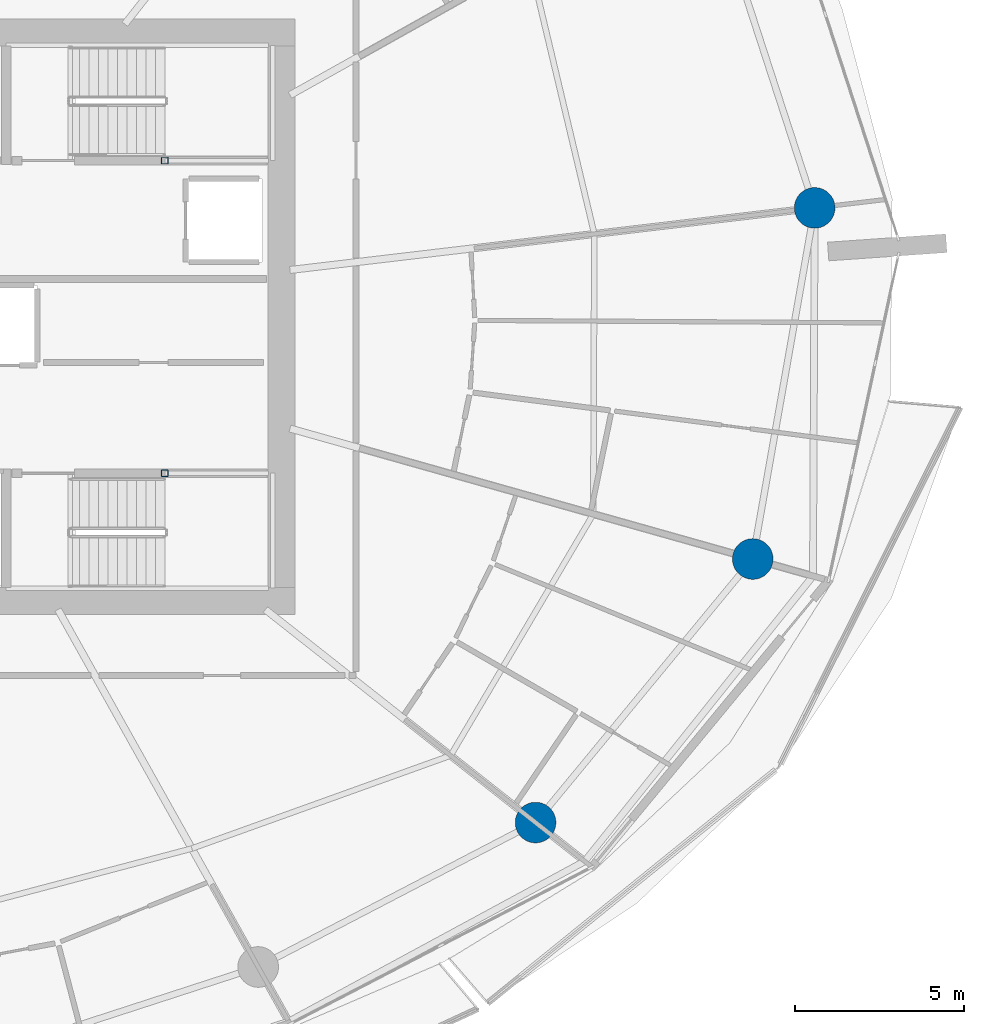
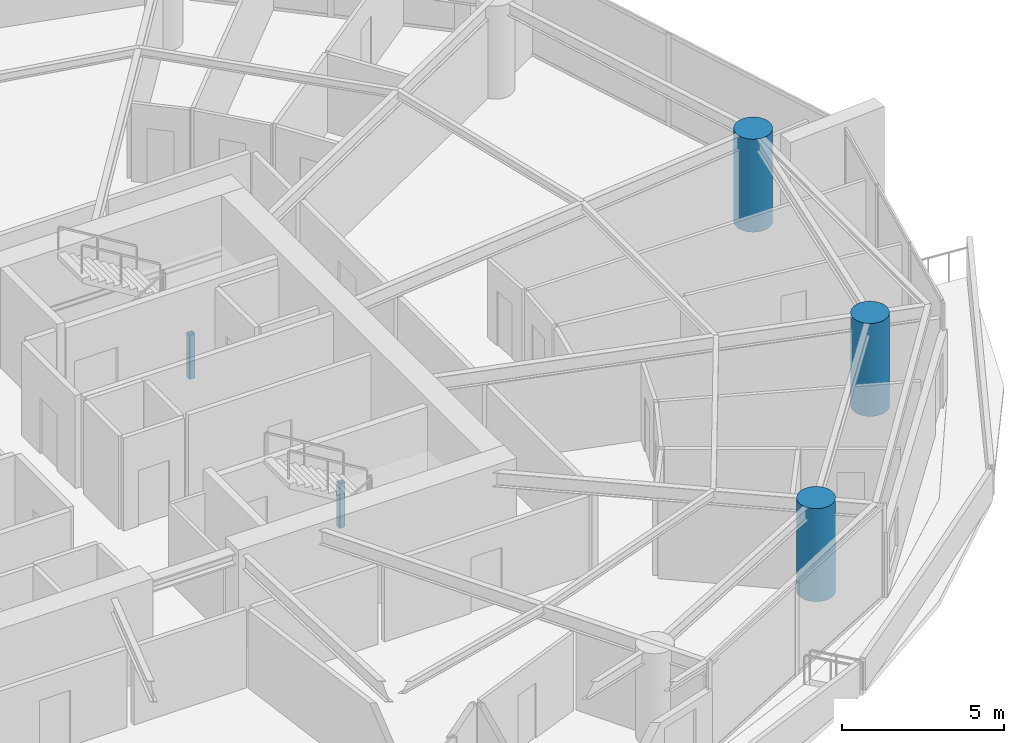
# One storey, part 3 of 23: 5 columns.
"""IFC4 building model written with IfcOpenShell, lengths in metres."""

from ifc_helpers import new_model, si_unit, direction, frame, origin, origin_2d, place, context, subcontext, project, spatial, hollow_rectangle, circle, extrude, material, material_profile, profile_set, type_object, element, save


model = new_model("IFC4")

# Units and contexts
model_context = context("Model", 3, precision=1e-05, world=origin(), true_north=direction((0.0, 1.0)))
body_context = subcontext(model_context, "Body", "Model", "MODEL_VIEW")
ifc_project = project(units=[si_unit("LENGTHUNIT", "METRE"), si_unit("AREAUNIT", "SQUARE_METRE"), si_unit("VOLUMEUNIT", "CUBIC_METRE"), si_unit("PLANEANGLEUNIT", "RADIAN"), si_unit("MASSUNIT", "GRAM", prefix="KILO")], contexts=[model_context])

# Site, building, storey
site_placement = place(None, origin())
site = spatial("IfcSite", under=ifc_project, at=site_placement, CompositionType="ELEMENT")
building_placement = place(site_placement, origin())
building = spatial("IfcBuilding", under=site, at=building_placement, Name="Kazma Halo Residences", CompositionType="ELEMENT")
storey_placement = place(building_placement, frame((0.0, 0.0, 78.89990234375)))
storey = spatial("IfcBuildingStorey", under=building, at=storey_placement, Name="L19", CompositionType="ELEMENT", Elevation=78.89990234375)

# Columns
ifc_material_1 = material(Name="Steel S355", Category="steel")
ifc_material_profile_1 = material_profile(ifc_material_1, hollow_rectangle(XDim=0.199951171875, YDim=0.199951171875, WallThickness=0.010009765625, InnerFilletRadius=0.010009765625, OuterFilletRadius=0.02001953125, at=origin_2d()), Name="SHS200x200x10")
ifc_profile_set_1 = profile_set([ifc_material_profile_1], Name="Steel S355")
column_type_1 = type_object("IfcColumnType", Name="COL-LP-SHS200", PredefinedType="COLUMN", material=ifc_profile_set_1)
for number, where, z_axis, x_axis, name in (
    (1, (56.0, 46.6201171875, 0.0), (0.0, 0.0, 1.0), (1.0, 0.0, 0.0), "L19 ST-02 landing pilaster 1"),
    (2, (56.0, 37.3798828125, 0.0), (0.0, 0.0, 1.0), (1.0, 0.0, 0.0), "L19 ST-03 landing pilaster 1"),
):
    element("IfcColumn", number, at=place(storey_placement, frame(where, z_axis=z_axis, x_axis=x_axis)), inside=storey, type_object=column_type_1, Name=name, PredefinedType="COLUMN", context=body_context, shape_type="SweptSolid", body=[
        extrude(hollow_rectangle(XDim=0.199951171875, YDim=0.199951171875, WallThickness=0.010009765625, InnerFilletRadius=0.010009765625, OuterFilletRadius=0.02001953125, at=origin_2d()), origin(), (0.0, 0.0, 1.0), 1.670166015625),
    ])
ifc_material_2 = material(Name="Concrete C80/95", Category="concrete")
ifc_material_profile_2 = material_profile(ifc_material_2, circle(Radius=0.60009765625, at=origin_2d()), Name="CIRC1200")
ifc_profile_set_2 = profile_set([ifc_material_profile_2], Name="Concrete C80/95")
column_type_2 = type_object("IfcColumnType", Name="COL-PERIM-1200", PredefinedType="COLUMN", material=ifc_profile_set_2)
for number, where, z_axis, x_axis, name in (
    (3, (66.9580078125, 27.0546875, 0.0), (0.0, 0.0, 1.0), (1.0, 0.0, 0.0), "L19 perimeter ring column P14"),
    (4, (73.376708984375, 34.843017578125, 0.0), (0.0, 0.0, 1.0), (1.0, 0.0, 0.0), "L19 perimeter ring column P15"),
    (5, (75.20654296875, 45.22021484375, 0.0), (0.0, 0.0, 1.0), (1.0, 0.0, 0.0), "L19 perimeter ring column P16"),
):
    element("IfcColumn", number, at=place(storey_placement, frame(where, z_axis=z_axis, x_axis=x_axis)), inside=storey, type_object=column_type_2, Name=name, PredefinedType="COLUMN", context=body_context, shape_type="SweptSolid", body=[
        extrude(circle(Radius=0.60009765625, at=origin_2d()), origin(), (0.0, 0.0, 1.0), 3.5),
    ])

save(model, "model.ifc")
